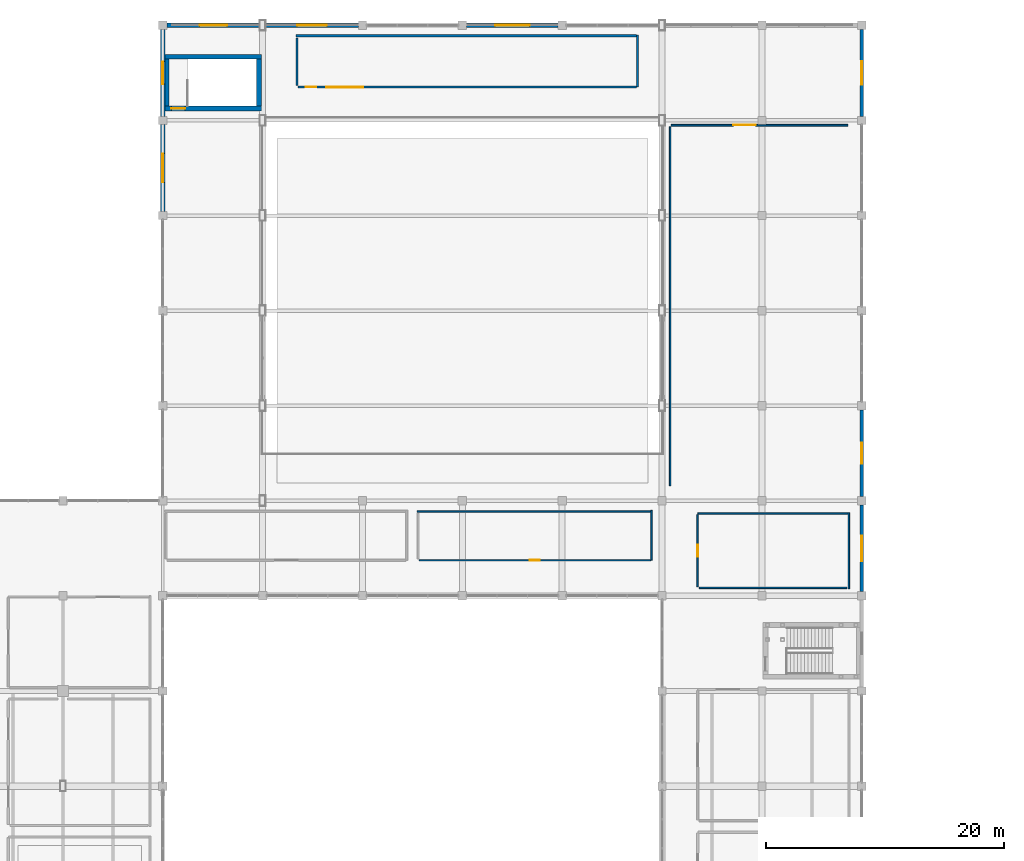
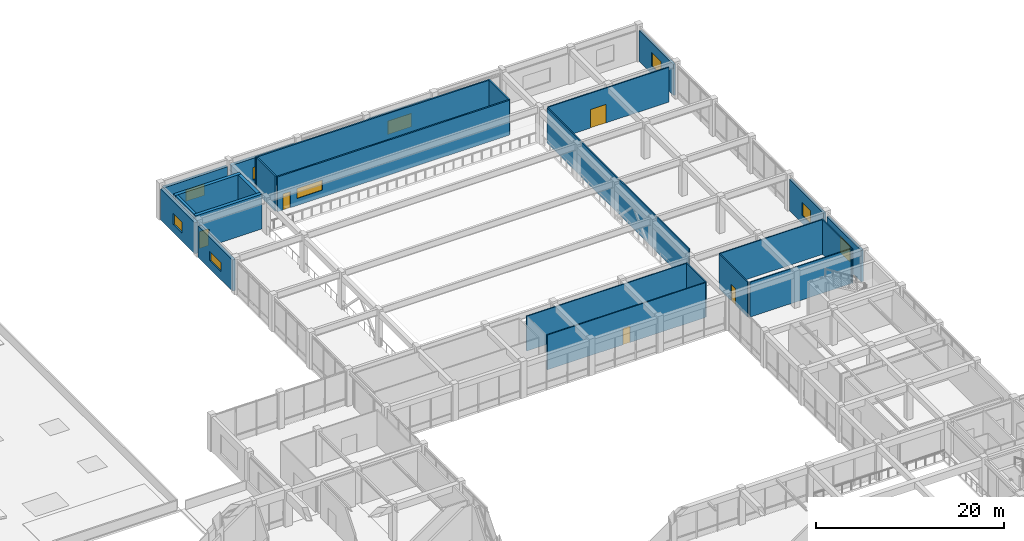
# One storey, part 56 of 76: 25 walls, 9 windows, 5 doors, 14 openings.
"""IFC4 building model written with IfcOpenShell, lengths in metres."""

import ifcopenshell
import ifcopenshell.guid

model = None  # the IFC model being written
_history = None  # IfcOwnerHistory: only IFC2X3 demands one
_inside = {}  # id of a spatial element -> (the spatial element, [elements in it])
_under = {}  # id of a project, library or spatial element -> (it, [spatial elements below it])
_declared = {}  # id of a project -> (the project, [libraries it declares])
_typed = {}  # id of a type object -> (the type object, [elements of that type])
_made_of = {}  # id of a material, layer set ... -> (it, [elements and type objects made of it])


def new_model(schema):
    """Start an empty IFC model of exactly this schema.

    Asked for "IFC4X3", IfcOpenShell would pick the latest addendum, in which some entities
    have other attributes; the version numbers below select the first issue.
    IFC2X3 requires an IfcOwnerHistory on every rooted entity: one is made here for all.
    """
    global model, _history
    if schema == "IFC4X3":
        model = ifcopenshell.file(schema_version=(4, 3, 0, 0))
    else:
        model = ifcopenshell.file(schema=schema)
    _inside.clear()
    _under.clear()
    _declared.clear()
    _typed.clear()
    _made_of.clear()
    _history = None
    if model.schema == "IFC2X3":
        org = make("IfcOrganization", Name="unknown")
        user = make(
            "IfcPersonAndOrganization",
            ThePerson=make("IfcPerson", FamilyName="unknown"),
            TheOrganization=org,
        )
        app = make(
            "IfcApplication",
            ApplicationDeveloper=org,
            Version="unknown",
            ApplicationFullName="unknown",
            ApplicationIdentifier="unknown",
        )
        _history = make(
            "IfcOwnerHistory",
            OwningUser=user,
            OwningApplication=app,
            ChangeAction="ADDED",
            CreationDate=0,
        )
    return model


def make(cls, **values):
    """One entity of the class cls with the attributes given. An attribute that is None is left unset."""
    return model.create_entity(
        cls, **{name: value for name, value in values.items() if value is not None}
    )


def rooted(cls, **values):
    """An entity with a GlobalId (a new one), such as an element, a storey or a relation."""
    return make(cls, GlobalId=ifcopenshell.guid.new(), OwnerHistory=_history, **values)


def si_unit(unit_type, name, prefix=None):
    """IfcSIUnit, for example si_unit("LENGTHUNIT", "METRE", prefix="MILLI")."""
    return make("IfcSIUnit", UnitType=unit_type, Prefix=prefix, Name=name)


def assignment(units):
    """IfcUnitAssignment: the units of a project."""
    return None if units is None else make("IfcUnitAssignment", Units=units)


def point(xyz):
    """IfcCartesianPoint."""
    return None if xyz is None else make("IfcCartesianPoint", Coordinates=xyz)


def direction(xyz):
    """IfcDirection."""
    return None if xyz is None else make("IfcDirection", DirectionRatios=xyz)


def frame(location, z_axis=None, x_axis=None):
    """IfcAxis2Placement3D, a coordinate frame: its origin and axes. An axis left out is left unset."""
    return make(
        "IfcAxis2Placement3D",
        Location=point(location),
        Axis=direction(z_axis),
        RefDirection=direction(x_axis),
    )


def frame_2d(location, x_axis=None):
    """IfcAxis2Placement2D, a coordinate frame in the plane: its origin and x axis."""
    return make(
        "IfcAxis2Placement2D", Location=point(location), RefDirection=direction(x_axis)
    )


def origin():
    """The frame at (0, 0, 0) with its axes left unset."""
    return frame((0.0, 0.0, 0.0))


def place(relative_to, where):
    """IfcLocalPlacement: puts the frame where relative to a parent placement (None: the world)."""
    return make(
        "IfcLocalPlacement", PlacementRelTo=relative_to, RelativePlacement=where
    )


def context(
    kind, dimensions, precision=None, world=None, true_north=None, identifier=None
):
    """IfcGeometricRepresentationContext, for example the 3D "Model" context."""
    return make(
        "IfcGeometricRepresentationContext",
        ContextIdentifier=identifier,
        ContextType=kind,
        CoordinateSpaceDimension=dimensions,
        Precision=precision,
        WorldCoordinateSystem=world,
        TrueNorth=true_north,
    )


def subcontext(parent, identifier, kind, view, scale=None):
    """IfcGeometricRepresentationSubContext, for example "Body" below "Model"."""
    return make(
        "IfcGeometricRepresentationSubContext",
        ContextIdentifier=identifier,
        ContextType=kind,
        ParentContext=parent,
        TargetScale=scale,
        TargetView=view,
    )


def project(units=None, contexts=None):
    """IfcProject with its units and contexts."""
    return rooted(
        "IfcProject",
        Name="project",
        RepresentationContexts=contexts,
        UnitsInContext=assignment(units),
    )


def spatial(cls, under=None, at=None, **own):
    """A site, building, storey or space (cls), placed at a placement, below another one or the project."""
    s = rooted(cls, ObjectPlacement=at, **own)
    if under is not None:
        _under.setdefault(under.id(), (under, []))[1].append(s)
    return s


def profile(cls, at=None, kind="AREA", **sizes):
    """A parametric profile (cls). Its sizes go by their IFC names, for example OverallWidth=200.0."""
    return make(cls, ProfileType=kind, Position=at, **sizes)


def rectangle(**sizes):
    """IfcRectangleProfileDef."""
    return profile("IfcRectangleProfileDef", **sizes)


def extrude(swept, where, along, depth):
    """IfcExtrudedAreaSolid: the profile swept, set in the frame where, extruded along a direction by depth."""
    return make(
        "IfcExtrudedAreaSolid",
        SweptArea=swept,
        Position=where,
        ExtrudedDirection=direction(along),
        Depth=depth,
    )


def shape(context_of_items, identifier, shape_type, items):
    """IfcShapeRepresentation: the items that make up one representation, for example the "Body"."""
    return make(
        "IfcShapeRepresentation",
        ContextOfItems=context_of_items,
        RepresentationIdentifier=identifier,
        RepresentationType=shape_type,
        Items=items,
    )


def material(Name=None, Category=None):
    """IfcMaterial."""
    return make("IfcMaterial", Name=Name, Category=Category)


def layer(
    of_material, thickness, ventilated=None, Name=None, Category=None, Priority=None
):
    """IfcMaterialLayer: one layer of a wall or slab, of a material (None: an air gap)."""
    return make(
        "IfcMaterialLayer",
        Material=of_material,
        LayerThickness=thickness,
        IsVentilated=ventilated,
        Name=Name,
        Category=Category,
        Priority=Priority,
    )


def layer_set(layers, Name=None):
    """IfcMaterialLayerSet."""
    return make("IfcMaterialLayerSet", MaterialLayers=layers, LayerSetName=Name)


def made_of(thing, what):
    """Note that an element or type object is made of a material, layer set ...; save() writes the relation."""
    if what is not None:
        _made_of.setdefault(what.id(), (what, []))[1].append(thing)
    return thing


def type_object(cls, material=None, **own):
    """A type object (cls), such as IfcWallType, which elements share."""
    return made_of(rooted(cls, **own), material)


def element(
    cls,
    number,
    at=None,
    inside=None,
    cuts=None,
    type_object=None,
    material=None,
    context=None,
    identifier="Body",
    shape_type=None,
    held_by="IfcProductDefinitionShape",
    body=None,
    shapes=None,
    **own,
):
    """One element of the class cls, such as IfcWall. Its Tag is "e" and its number.

    at: its placement. inside: the storey or other place that contains it. cuts: it is an
    opening in that element (IfcRelVoidsElement). A single representation is given by context,
    identifier, shape_type and body (its items); several are given by shapes. held_by: the class
    of the entity that holds the representations. save() writes the other relations.
    """
    e = rooted(cls, Tag="e%d" % number, ObjectPlacement=at, **own)
    if body is not None:
        shapes = [shape(context, identifier, shape_type, body)]
    if shapes is not None:
        e.Representation = make(held_by, Representations=shapes)
    if inside is not None:
        _inside.setdefault(inside.id(), (inside, []))[1].append(e)
    if cuts is not None:
        rooted(
            "IfcRelVoidsElement", RelatingBuildingElement=cuts, RelatedOpeningElement=e
        )
    if type_object is not None:
        _typed.setdefault(type_object.id(), (type_object, []))[1].append(e)
    return made_of(e, material)


def fill(opening, filler):
    """IfcRelFillsElement: the door or window that sits in an opening."""
    return rooted(
        "IfcRelFillsElement",
        RelatingOpeningElement=opening,
        RelatedBuildingElement=filler,
    )


def aggregate(whole, parts):
    """IfcRelAggregates: a whole, such as a stair, and the parts it consists of."""
    return rooted("IfcRelAggregates", RelatingObject=whole, RelatedObjects=parts)


def save(model, path):
    """Write the relations noted so far, then the file.

    IfcRelAggregates (storeys below a building ...), IfcRelContainedInSpatialStructure (elements
    in a storey), IfcRelDefinesByType, IfcRelAssociatesMaterial and IfcRelDeclares: one each for
    every whole, place, type object, material and project.
    """
    for whole, parts in _under.values():
        aggregate(whole, parts)
    for where, things in _inside.values():
        rooted(
            "IfcRelContainedInSpatialStructure",
            RelatedElements=things,
            RelatingStructure=where,
        )
    for kind, things in _typed.values():
        rooted("IfcRelDefinesByType", RelatedObjects=things, RelatingType=kind)
    for what, things in _made_of.values():
        rooted("IfcRelAssociatesMaterial", RelatedObjects=things, RelatingMaterial=what)
    for by, libraries in _declared.values():
        rooted("IfcRelDeclares", RelatingContext=by, RelatedDefinitions=libraries)
    model.write(path)


model = new_model("IFC4")

# Units and contexts
model_context = context("Model", 3, precision=1e-05, world=origin(), true_north=direction((0.0, 1.0)))
body_context = subcontext(model_context, "Body", "Model", "MODEL_VIEW")
ifc_project = project(units=[si_unit("LENGTHUNIT", "METRE"), si_unit("AREAUNIT", "SQUARE_METRE"), si_unit("VOLUMEUNIT", "CUBIC_METRE"), si_unit("PLANEANGLEUNIT", "RADIAN"), si_unit("MASSUNIT", "GRAM", prefix="KILO")], contexts=[model_context])

# Site, building, storey
site_placement = place(None, origin())
site = spatial("IfcSite", under=ifc_project, at=site_placement, CompositionType="ELEMENT")
building_placement = place(site_placement, origin())
building = spatial("IfcBuilding", under=site, at=building_placement, Name="Naruveol Harbour Congress Hotel", CompositionType="ELEMENT")
storey_placement = place(building_placement, frame((0.0, 0.0, 11.39990234375)))
storey = spatial("IfcBuildingStorey", under=building, at=storey_placement, Name="L02", CompositionType="ELEMENT", Elevation=11.39990234375)

# Wall, openings, window, door
ifc_material_1 = material(Name="Autoclaved Aerated Concrete Block", Category="concrete")
ifc_layer_1 = layer(ifc_material_1, 0.179931640625)
ifc_layer_set_1 = layer_set([ifc_layer_1], Name="Autoclaved Aerated Concrete Block")
wall_type_1 = type_object("IfcWallType", Name="ACOUSTIC HALL PARTITION WALL 180 EI60", PredefinedType="PARTITIONING", material=ifc_layer_set_1)
wall_1_placement = place(storey_placement, frame((78.56005859375, 106.800048828125, 0.0), z_axis=(0.0, 0.0, 1.0), x_axis=(1.0, 0.0, 0.0)))
wall_1 = element("IfcWall", 1, at=wall_1_placement, inside=storey, type_object=wall_type_1, Name="Ballroom Audio Visual Control Suite south entry wall PW-180", PredefinedType="PARTITIONING", context=body_context, shape_type="SweptSolid", body=[
    extrude(rectangle(XDim=28.47998046875, YDim=0.179931640625, at=frame_2d((14.239990234375, 0.0))), origin(), (0.0, 0.0, 1.0), 4.53515625),
])
opening_1_placement = place(wall_1_placement, frame((0.64990234375, 0.0, 0.0)))
opening_1 = element("IfcOpeningElement", 2, at=opening_1_placement, cuts=wall_1, Name="Opening ID-AV1", PredefinedType="OPENING", context=body_context, shape_type="SweptSolid", body=[
    extrude(rectangle(XDim=0.89990234375, YDim=2.10009765625, at=frame_2d((0.449951171875, 1.050048828125))), frame((0.0, 0.099853515625, 0.0), z_axis=(0.0, -1.0, 0.0), x_axis=(1.0, 0.0, 0.0)), (0.0, 0.0, 1.0), 0.199951171875),
])
opening_2_placement = place(wall_1_placement, frame((2.39990234375, 0.0, 0.89990234375)))
opening_2 = element("IfcOpeningElement", 3, at=opening_2_placement, cuts=wall_1, Name="Opening W-32", PredefinedType="OPENING", context=body_context, shape_type="SweptSolid", body=[
    extrude(rectangle(XDim=3.10009765625, YDim=1.300048828125, at=frame_2d((1.550048828125, 0.64990234375))), frame((0.0, 0.099853515625, 0.0), z_axis=(0.0, -1.0, 0.0), x_axis=(1.0, 0.0, 0.0)), (0.0, 0.0, 1.0), 0.199951171875),
])
ifc_material_2 = material(Name="Low-E Triple Glazing in Thermal Aluminium", Category="aluminium")
window_type_1 = type_object("IfcWindowType", Name="AV CONTROL BOOTH OBSERVATION GLASS 3100X1300", PartitioningType="DOUBLE_PANEL_VERTICAL", PredefinedType="WINDOW", material=ifc_material_2)
window_1_placement = place(opening_2_placement, origin())
window_1 = element("IfcWindow", 4, at=window_1_placement, inside=storey, type_object=window_type_1, Name="AV Control Observation Window", OverallHeight=1.300048828125, OverallWidth=3.10009765625, PartitioningType="DOUBLE_PANEL_VERTICAL", PredefinedType="WINDOW", context=body_context, shape_type="SweptSolid", body=[
    extrude(rectangle(XDim=3.10009765625, YDim=1.300048828125, at=frame_2d((1.550048828125, 0.64990234375))), frame((0.0, 0.030029296875, 0.0), z_axis=(0.0, -1.0, 0.0), x_axis=(1.0, 0.0, 0.0)), (0.0, 0.0, 1.0), 0.06005859375),
])
fill(opening_2, window_1)
ifc_material_3 = material(Name="Timber & Steel Acoustic Leaf", Category="steel")
door_type_1 = type_object("IfcDoorType", Name="INTERPRETING BOOTH ACOUSTIC DOOR 900X2100", OperationType="NOTDEFINED", PredefinedType="DOOR", material=ifc_material_3)
door_1_placement = place(opening_1_placement, origin())
door_1 = element("IfcDoor", 5, at=door_1_placement, inside=storey, type_object=door_type_1, Name="AV Control Acoustic Door", OperationType="SINGLE_SWING_LEFT", OverallHeight=2.10009765625, OverallWidth=0.89990234375, PredefinedType="DOOR", context=body_context, shape_type="SweptSolid", body=[
    extrude(rectangle(XDim=0.89990234375, YDim=2.10009765625, at=frame_2d((0.449951171875, 1.050048828125))), frame((0.0, 0.02490234375, 0.0), z_axis=(0.0, -1.0, 0.0), x_axis=(1.0, 0.0, 0.0)), (0.0, 0.0, 1.0), 0.050048828125),
])
fill(opening_1, door_1)

# Walls
wall_2_placement = place(storey_placement, frame((78.47998046875, 106.93994140625, 0.0), z_axis=(0.0, 0.0, 1.0), x_axis=(0.0, 1.0, 0.0)))
element("IfcWall", 6, at=wall_2_placement, inside=storey, type_object=wall_type_1, Name="Ballroom Audio Visual Control Suite west partition PW-180", PredefinedType="PARTITIONING", context=body_context, shape_type="SweptSolid", body=[
    extrude(rectangle(XDim=4.010009765625, YDim=0.179931640625, at=frame_2d((2.0048828125, 0.0))), origin(), (0.0, 0.0, 1.0), 4.53515625),
])
wall_3_placement = place(storey_placement, frame((107.1201171875, 106.83203125, 0.0), z_axis=(0.0, 0.0, 1.0), x_axis=(0.0, 1.0, 0.0)))
element("IfcWall", 7, at=wall_3_placement, inside=storey, type_object=wall_type_1, Name="Ballroom Audio Visual Control Suite east enclosure partition PW-180", PredefinedType="PARTITIONING", context=body_context, shape_type="SweptSolid", body=[
    extrude(rectangle(XDim=4.367919921875, YDim=0.179931640625, at=frame_2d((2.18408203125, 0.0))), origin(), (0.0, 0.0, 1.0), 4.53515625),
])
wall_4_placement = place(storey_placement, frame((78.39990234375, 111.1201171875, 0.0), z_axis=(0.0, 0.0, 1.0), x_axis=(1.0, 0.0, 0.0)))
element("IfcWall", 8, at=wall_4_placement, inside=storey, type_object=wall_type_1, Name="Ballroom Audio Visual Control Suite north enclosure partition PW-180", PredefinedType="PARTITIONING", context=body_context, shape_type="SweptSolid", body=[
    extrude(rectangle(XDim=28.630126953125, YDim=0.179931640625, at=frame_2d((14.31494140625, 0.0))), origin(), (0.0, 0.0, 1.0), 4.53515625),
])

# Wall, opening, door
ifc_material_4 = material(Name="Acoustic Double Stud Gypsum", Category="gypsum")
ifc_layer_2 = layer(ifc_material_4, 0.139892578125)
ifc_layer_set_2 = layer_set([ifc_layer_2], Name="Acoustic Double Stud Gypsum")
wall_type_2 = type_object("IfcWallType", Name="ACOUSTIC MEETING PARTITION WALL 140", PredefinedType="PARTITIONING", material=ifc_layer_set_2)
wall_5_placement = place(storey_placement, frame((109.9599609375, 103.60009765625, 0.0), z_axis=(0.0, 0.0, 1.0), x_axis=(1.0, 0.0, 0.0)))
wall_5 = element("IfcWall", 9, at=wall_5_placement, inside=storey, type_object=wall_type_2, Name="Banquet Mezzanine Lounge north entry wall PW-140", PredefinedType="PARTITIONING", context=body_context, shape_type="SweptSolid", body=[
    extrude(rectangle(XDim=14.880126953125, YDim=0.139892578125, at=frame_2d((7.43994140625, 0.0))), origin(), (0.0, 0.0, 1.0), 4.53515625),
])
opening_3_placement = place(wall_5_placement, frame((5.239990234375, 0.0, 0.0)))
opening_3 = element("IfcOpeningElement", 10, at=opening_3_placement, cuts=wall_5, Name="Opening ID-LG-64", PredefinedType="OPENING", context=body_context, shape_type="SweptSolid", body=[
    extrude(rectangle(XDim=1.89990234375, YDim=2.39990234375, at=frame_2d((0.949951171875, 1.199951171875))), frame((0.0, 0.079833984375, 0.0), z_axis=(0.0, -1.0, 0.0), x_axis=(1.0, 0.0, 0.0)), (0.0, 0.0, 1.0), 0.159912109375),
])
ifc_material_5 = material(Name="Timber & Steel Acoustic Leaf", Category="steel")
door_type_2 = type_object("IfcDoorType", Name="RESTAURANT AND LOUNGE GLAZED DOOR 1900X2400", OperationType="DOUBLE_DOOR_SINGLE_SWING", PredefinedType="DOOR", material=ifc_material_5)
door_2_placement = place(opening_3_placement, origin())
door_2 = element("IfcDoor", 11, at=door_2_placement, inside=storey, type_object=door_type_2, Name="Banquet Mezzanine Lounge Entrance Door", OperationType="DOUBLE_DOOR_SINGLE_SWING", OverallHeight=2.39990234375, OverallWidth=1.89990234375, PredefinedType="DOOR", context=body_context, shape_type="SweptSolid", body=[
    extrude(rectangle(XDim=1.89990234375, YDim=2.39990234375, at=frame_2d((0.949951171875, 1.199951171875))), frame((0.0, 0.02490234375, 0.0), z_axis=(0.0, -1.0, 0.0), x_axis=(1.0, 0.0, 0.0)), (0.0, 0.0, 1.0), 0.050048828125),
])
fill(opening_3, door_2)

# Wall
wall_6_placement = place(storey_placement, frame((109.8798828125, 73.25, 0.0), z_axis=(0.0, 0.0, 1.0), x_axis=(0.0, 1.0, 0.0)))
element("IfcWall", 12, at=wall_6_placement, inside=storey, type_object=wall_type_2, Name="Banquet Mezzanine Lounge west partition PW-140", PredefinedType="PARTITIONING", context=body_context, shape_type="SweptSolid", body=[
    extrude(rectangle(XDim=30.2099609375, YDim=0.139892578125, at=frame_2d((15.10498046875, 0.0))), origin(), (0.0, 0.0, 1.0), 4.53515625),
])

# Wall, opening, window
ifc_material_6 = material(Name="Precast concrete C40/50", Category="concrete")
ifc_layer_3 = layer(ifc_material_6, 0.280029296875)
ifc_layer_set_3 = layer_set([ifc_layer_3], Name="Precast concrete C40/50")
wall_type_3 = type_object("IfcWallType", Name="ARCHITECTURAL PRECAST FACADE WALL 280", PredefinedType="SOLIDWALL", material=ifc_layer_set_3)
wall_7_placement = place(storey_placement, frame((126.0, 79.64990234375, 0.0), z_axis=(0.0, 0.0, 1.0), x_axis=(0.0, -1.0, 0.0)))
wall_7 = element("IfcWall", 13, at=wall_7_placement, inside=storey, type_object=wall_type_3, Name="Ballroom east garden wall EW-280", PredefinedType="SOLIDWALL", context=body_context, shape_type="SweptSolid", body=[
    extrude(rectangle(XDim=7.2998046875, YDim=0.280029296875, at=frame_2d((3.64990234375, 0.0))), origin(), (0.0, 0.0, 1.0), 4.10009765625),
])
opening_4_placement = place(wall_7_placement, frame((2.75, 0.0, 1.050048828125)))
opening_4 = element("IfcOpeningElement", 14, at=opening_4_placement, cuts=wall_7, Name="Opening W-04", PredefinedType="OPENING", context=body_context, shape_type="SweptSolid", body=[
    extrude(rectangle(XDim=1.800048828125, YDim=1.699951171875, at=frame_2d((0.89990234375, 0.85009765625))), frame((0.0, 0.14990234375, 0.0), z_axis=(0.0, -1.0, 0.0), x_axis=(1.0, 0.0, 0.0)), (0.0, 0.0, 1.0), 0.300048828125),
])
ifc_material_7 = material(Name="Low-E Triple Glazing in Thermal Aluminium", Category="aluminium")
window_type_2 = type_object("IfcWindowType", Name="DELUXE PANORAMA WINDOW 1800X1700", PartitioningType="DOUBLE_PANEL_VERTICAL", PredefinedType="WINDOW", material=ifc_material_7)
window_2_placement = place(opening_4_placement, origin())
window_2 = element("IfcWindow", 15, at=window_2_placement, inside=storey, type_object=window_type_2, Name="Window W-04 #129", OverallHeight=1.699951171875, OverallWidth=1.800048828125, PartitioningType="DOUBLE_PANEL_VERTICAL", PredefinedType="WINDOW", context=body_context, shape_type="SweptSolid", body=[
    extrude(rectangle(XDim=1.800048828125, YDim=1.699951171875, at=frame_2d((0.89990234375, 0.85009765625))), frame((0.0, 0.030029296875, 0.0), z_axis=(0.0, -1.0, 0.0), x_axis=(1.0, 0.0, 0.0)), (0.0, 0.0, 1.0), 0.06005859375),
])
fill(opening_4, window_2)

wall_8_placement = place(storey_placement, frame((126.0, 111.64990234375, 0.0), z_axis=(0.0, 0.0, 1.0), x_axis=(0.0, -1.0, 0.0)))
wall_8 = element("IfcWall", 16, at=wall_8_placement, inside=storey, type_object=wall_type_3, Name="Ballroom east garden wall EW-280", PredefinedType="SOLIDWALL", context=body_context, shape_type="SweptSolid", body=[
    extrude(rectangle(XDim=7.2998046875, YDim=0.280029296875, at=frame_2d((3.64990234375, 0.0))), origin(), (0.0, 0.0, 1.0), 4.050048828125),
])
opening_5_placement = place(wall_8_placement, frame((2.64990234375, 0.0, 1.050048828125)))
opening_5 = element("IfcOpeningElement", 17, at=opening_5_placement, cuts=wall_8, Name="Opening W-05", PredefinedType="OPENING", context=body_context, shape_type="SweptSolid", body=[
    extrude(rectangle(XDim=2.0, YDim=1.75, at=frame_2d((1.0, 0.875))), frame((0.0, 0.14990234375, 0.0), z_axis=(0.0, -1.0, 0.0), x_axis=(1.0, 0.0, 0.0)), (0.0, 0.0, 1.0), 0.300048828125),
])
ifc_material_8 = material(Name="Low-E Triple Glazing in Thermal Aluminium", Category="aluminium")
window_type_3 = type_object("IfcWindowType", Name="GARDEN SUITE WINDOW 2000X1750", PartitioningType="DOUBLE_PANEL_VERTICAL", PredefinedType="WINDOW", material=ifc_material_8)
window_3_placement = place(opening_5_placement, origin())
window_3 = element("IfcWindow", 18, at=window_3_placement, inside=storey, type_object=window_type_3, Name="Window W-05 #130", OverallHeight=1.75, OverallWidth=2.0, PartitioningType="DOUBLE_PANEL_VERTICAL", PredefinedType="WINDOW", context=body_context, shape_type="SweptSolid", body=[
    extrude(rectangle(XDim=2.0, YDim=1.75, at=frame_2d((1.0, 0.875))), frame((0.0, 0.030029296875, 0.0), z_axis=(0.0, -1.0, 0.0), x_axis=(1.0, 0.0, 0.0)), (0.0, 0.0, 1.0), 0.06005859375),
])
fill(opening_5, window_3)

wall_9_placement = place(storey_placement, frame((126.0, 71.64990234375, 0.0), z_axis=(0.0, 0.0, 1.0), x_axis=(0.0, -1.0, 0.0)))
wall_9 = element("IfcWall", 19, at=wall_9_placement, inside=storey, type_object=wall_type_3, Name="Courtyard wing east garden wall EW-280", PredefinedType="SOLIDWALL", context=body_context, shape_type="SweptSolid", body=[
    extrude(rectangle(XDim=7.2998046875, YDim=0.280029296875, at=frame_2d((3.64990234375, 0.0))), origin(), (0.0, 0.0, 1.0), 4.10009765625),
])
opening_6_placement = place(wall_9_placement, frame((2.574951171875, 0.0, 1.0)))
opening_6 = element("IfcOpeningElement", 20, at=opening_6_placement, cuts=wall_9, Name="Opening W-29", PredefinedType="OPENING", context=body_context, shape_type="SweptSolid", body=[
    extrude(rectangle(XDim=2.14990234375, YDim=2.10009765625, at=frame_2d((1.074951171875, 1.050048828125))), frame((0.0, 0.14990234375, 0.0), z_axis=(0.0, -1.0, 0.0), x_axis=(1.0, 0.0, 0.0)), (0.0, 0.0, 1.0), 0.300048828125),
])
ifc_material_9 = material(Name="Low-E Triple Glazing in Thermal Aluminium", Category="aluminium")
window_type_4 = type_object("IfcWindowType", Name="DINING TERRACE WINDOW 2150X2100", PartitioningType="DOUBLE_PANEL_VERTICAL", PredefinedType="WINDOW", material=ifc_material_9)
window_4_placement = place(opening_6_placement, origin())
window_4 = element("IfcWindow", 21, at=window_4_placement, inside=storey, type_object=window_type_4, Name="Window W-29 #149", OverallHeight=2.10009765625, OverallWidth=2.14990234375, PartitioningType="DOUBLE_PANEL_VERTICAL", PredefinedType="WINDOW", context=body_context, shape_type="SweptSolid", body=[
    extrude(rectangle(XDim=2.14990234375, YDim=2.10009765625, at=frame_2d((1.074951171875, 1.050048828125))), frame((0.0, 0.030029296875, 0.0), z_axis=(0.0, -1.0, 0.0), x_axis=(1.0, 0.0, 0.0)), (0.0, 0.0, 1.0), 0.06005859375),
])
fill(opening_6, window_4)

ifc_material_10 = material(Name="Concrete C40/50", Category="concrete")
ifc_layer_4 = layer(ifc_material_10, 0.3798828125)
ifc_layer_set_4 = layer_set([ifc_layer_4], Name="Concrete C40/50")
wall_type_4 = type_object("IfcWallType", Name="INSULATED GRANITE FACADE WALL 380", PredefinedType="SOLIDWALL", material=ifc_layer_set_4)
wall_10_placement = place(storey_placement, frame((67.199951171875, 96.35009765625, 0.0), z_axis=(0.0, 0.0, 1.0), x_axis=(0.0, 1.0, 0.0)))
wall_10 = element("IfcWall", 22, at=wall_10_placement, inside=storey, type_object=wall_type_4, Name="Ballroom west forecourt wall EW-380", PredefinedType="SOLIDWALL", context=body_context, shape_type="SweptSolid", body=[
    extrude(rectangle(XDim=7.2998046875, YDim=0.3798828125, at=frame_2d((3.64990234375, 0.0))), origin(), (0.0, 0.0, 1.0), 4.050048828125),
])
opening_7_placement = place(wall_10_placement, frame((2.449951171875, 0.0, 1.050048828125)))
opening_7 = element("IfcOpeningElement", 23, at=opening_7_placement, cuts=wall_10, Name="Opening W-19", PredefinedType="OPENING", context=body_context, shape_type="SweptSolid", body=[
    extrude(rectangle(XDim=2.39990234375, YDim=1.199951171875, at=frame_2d((1.199951171875, 0.60009765625))), frame((0.0, 0.199951171875, 0.0), z_axis=(0.0, -1.0, 0.0), x_axis=(1.0, 0.0, 0.0)), (0.0, 0.0, 1.0), 0.39990234375),
])
ifc_material_11 = material(Name="Low-E Triple Glazing in Thermal Aluminium", Category="aluminium")
window_type_5 = type_object("IfcWindowType", Name="AUDITORIUM ACOUSTIC CLERESTORY 2400X1200", PartitioningType="DOUBLE_PANEL_VERTICAL", PredefinedType="WINDOW", material=ifc_material_11)
window_5_placement = place(opening_7_placement, origin())
window_5 = element("IfcWindow", 24, at=window_5_placement, inside=storey, type_object=window_type_5, Name="Window W-19 #122", OverallHeight=1.199951171875, OverallWidth=2.39990234375, PartitioningType="DOUBLE_PANEL_VERTICAL", PredefinedType="WINDOW", context=body_context, shape_type="SweptSolid", body=[
    extrude(rectangle(XDim=2.39990234375, YDim=1.199951171875, at=frame_2d((1.199951171875, 0.60009765625))), frame((0.0, 0.030029296875, 0.0), z_axis=(0.0, -1.0, 0.0), x_axis=(1.0, 0.0, 0.0)), (0.0, 0.0, 1.0), 0.06005859375),
])
fill(opening_7, window_5)

wall_11_placement = place(storey_placement, frame((67.199951171875, 104.35009765625, 0.0), z_axis=(0.0, 0.0, 1.0), x_axis=(0.0, 1.0, 0.0)))
wall_11 = element("IfcWall", 25, at=wall_11_placement, inside=storey, type_object=wall_type_4, Name="Ballroom west forecourt wall EW-380", PredefinedType="SOLIDWALL", context=body_context, shape_type="SweptSolid", body=[
    extrude(rectangle(XDim=7.2998046875, YDim=0.3798828125, at=frame_2d((3.64990234375, 0.0))), origin(), (0.0, 0.0, 1.0), 4.050048828125),
])
opening_8_placement = place(wall_11_placement, frame((2.699951171875, 0.0, 1.050048828125)))
opening_8 = element("IfcOpeningElement", 26, at=opening_8_placement, cuts=wall_11, Name="Opening W-20", PredefinedType="OPENING", context=body_context, shape_type="SweptSolid", body=[
    extrude(rectangle(XDim=1.89990234375, YDim=1.39990234375, at=frame_2d((0.949951171875, 0.699951171875))), frame((0.0, 0.199951171875, 0.0), z_axis=(0.0, -1.0, 0.0), x_axis=(1.0, 0.0, 0.0)), (0.0, 0.0, 1.0), 0.39990234375),
])
ifc_material_12 = material(Name="Low-E Triple Glazing in Thermal Aluminium", Category="aluminium")
window_type_6 = type_object("IfcWindowType", Name="PRESS BRIEFING WINDOW 1900X1400", PartitioningType="DOUBLE_PANEL_VERTICAL", PredefinedType="WINDOW", material=ifc_material_12)
window_6_placement = place(opening_8_placement, origin())
window_6 = element("IfcWindow", 27, at=window_6_placement, inside=storey, type_object=window_type_6, Name="Window W-20 #123", OverallHeight=1.39990234375, OverallWidth=1.89990234375, PartitioningType="DOUBLE_PANEL_VERTICAL", PredefinedType="WINDOW", context=body_context, shape_type="SweptSolid", body=[
    extrude(rectangle(XDim=1.89990234375, YDim=1.39990234375, at=frame_2d((0.949951171875, 0.699951171875))), frame((0.0, 0.030029296875, 0.0), z_axis=(0.0, -1.0, 0.0), x_axis=(1.0, 0.0, 0.0)), (0.0, 0.0, 1.0), 0.06005859375),
])
fill(opening_8, window_6)

wall_12_placement = place(storey_placement, frame((67.550048828125, 112.0, 0.0), z_axis=(0.0, 0.0, 1.0), x_axis=(1.0, 0.0, 0.0)))
wall_12 = element("IfcWall", 28, at=wall_12_placement, inside=storey, type_object=wall_type_4, Name="Ballroom north facade EW-380", PredefinedType="SOLIDWALL", context=body_context, shape_type="SweptSolid", body=[
    extrude(rectangle(XDim=7.800048828125, YDim=0.3798828125, at=frame_2d((3.89990234375, 0.0))), origin(), (0.0, 0.0, 1.0), 3.900146484375),
])
opening_9_placement = place(wall_12_placement, frame((2.75, 0.0, 1.050048828125)))
opening_9 = element("IfcOpeningElement", 29, at=opening_9_placement, cuts=wall_12, Name="Opening W-21", PredefinedType="OPENING", context=body_context, shape_type="SweptSolid", body=[
    extrude(rectangle(XDim=2.300048828125, YDim=1.5, at=frame_2d((1.14990234375, 0.75))), frame((0.0, 0.199951171875, 0.0), z_axis=(0.0, -1.0, 0.0), x_axis=(1.0, 0.0, 0.0)), (0.0, 0.0, 1.0), 0.39990234375),
])
ifc_material_13 = material(Name="Low-E Triple Glazing in Thermal Aluminium", Category="aluminium")
window_type_7 = type_object("IfcWindowType", Name="COURTYARD GALLERY WINDOW 2300X1500", PartitioningType="DOUBLE_PANEL_VERTICAL", PredefinedType="WINDOW", material=ifc_material_13)
window_7_placement = place(opening_9_placement, origin())
window_7 = element("IfcWindow", 30, at=window_7_placement, inside=storey, type_object=window_type_7, Name="Window W-21 #124", OverallHeight=1.5, OverallWidth=2.300048828125, PartitioningType="DOUBLE_PANEL_VERTICAL", PredefinedType="WINDOW", context=body_context, shape_type="SweptSolid", body=[
    extrude(rectangle(XDim=2.300048828125, YDim=1.5, at=frame_2d((1.14990234375, 0.75))), frame((0.0, 0.030029296875, 0.0), z_axis=(0.0, -1.0, 0.0), x_axis=(1.0, 0.0, 0.0)), (0.0, 0.0, 1.0), 0.06005859375),
])
fill(opening_9, window_7)

wall_13_placement = place(storey_placement, frame((75.85009765625, 112.0, 0.0), z_axis=(0.0, 0.0, 1.0), x_axis=(1.0, 0.0, 0.0)))
wall_13 = element("IfcWall", 31, at=wall_13_placement, inside=storey, type_object=wall_type_4, Name="Ballroom north facade EW-380", PredefinedType="SOLIDWALL", context=body_context, shape_type="SweptSolid", body=[
    extrude(rectangle(XDim=7.7998046875, YDim=0.3798828125, at=frame_2d((3.89990234375, 0.0))), origin(), (0.0, 0.0, 1.0), 3.900146484375),
])
opening_10_placement = place(wall_13_placement, frame((2.64990234375, 0.0, 1.050048828125)))
opening_10 = element("IfcOpeningElement", 32, at=opening_10_placement, cuts=wall_13, Name="Opening W-22", PredefinedType="OPENING", context=body_context, shape_type="SweptSolid", body=[
    extrude(rectangle(XDim=2.5, YDim=1.64990234375, at=frame_2d((1.25, 0.824951171875))), frame((0.0, 0.199951171875, 0.0), z_axis=(0.0, -1.0, 0.0), x_axis=(1.0, 0.0, 0.0)), (0.0, 0.0, 1.0), 0.39990234375),
])
ifc_material_14 = material(Name="Low-E Triple Glazing in Thermal Aluminium", Category="aluminium")
window_type_8 = type_object("IfcWindowType", Name="BREAKOUT SALON WINDOW 2500X1650", PartitioningType="DOUBLE_PANEL_VERTICAL", PredefinedType="WINDOW", material=ifc_material_14)
window_8_placement = place(opening_10_placement, origin())
window_8 = element("IfcWindow", 33, at=window_8_placement, inside=storey, type_object=window_type_8, Name="Window W-22 #125", OverallHeight=1.64990234375, OverallWidth=2.5, PartitioningType="DOUBLE_PANEL_VERTICAL", PredefinedType="WINDOW", context=body_context, shape_type="SweptSolid", body=[
    extrude(rectangle(XDim=2.5, YDim=1.64990234375, at=frame_2d((1.25, 0.824951171875))), frame((0.0, 0.030029296875, 0.0), z_axis=(0.0, -1.0, 0.0), x_axis=(1.0, 0.0, 0.0)), (0.0, 0.0, 1.0), 0.06005859375),
])
fill(opening_10, window_8)

wall_14_placement = place(storey_placement, frame((92.75, 112.0, 0.0), z_axis=(0.0, 0.0, 1.0), x_axis=(1.0, 0.0, 0.0)))
wall_14 = element("IfcWall", 34, at=wall_14_placement, inside=storey, type_object=wall_type_4, Name="Ballroom north facade EW-380", PredefinedType="SOLIDWALL", context=body_context, shape_type="SweptSolid", body=[
    extrude(rectangle(XDim=7.699951171875, YDim=0.3798828125, at=frame_2d((3.85009765625, 0.0))), origin(), (0.0, 0.0, 1.0), 3.900146484375),
])
opening_11_placement = place(wall_14_placement, frame((2.39990234375, 0.0, 1.050048828125)))
opening_11 = element("IfcOpeningElement", 35, at=opening_11_placement, cuts=wall_14, Name="Opening W-23", PredefinedType="OPENING", context=body_context, shape_type="SweptSolid", body=[
    extrude(rectangle(XDim=2.89990234375, YDim=1.75, at=frame_2d((1.449951171875, 0.875))), frame((0.0, 0.199951171875, 0.0), z_axis=(0.0, -1.0, 0.0), x_axis=(1.0, 0.0, 0.0)), (0.0, 0.0, 1.0), 0.39990234375),
])
ifc_material_15 = material(Name="Low-E Triple Glazing in Thermal Aluminium", Category="aluminium")
window_type_9 = type_object("IfcWindowType", Name="BOARDROOM HARBOUR WINDOW 2900X1750", PartitioningType="DOUBLE_PANEL_VERTICAL", PredefinedType="WINDOW", material=ifc_material_15)
window_9_placement = place(opening_11_placement, origin())
window_9 = element("IfcWindow", 36, at=window_9_placement, inside=storey, type_object=window_type_9, Name="Window W-23 #126", OverallHeight=1.75, OverallWidth=2.89990234375, PartitioningType="DOUBLE_PANEL_VERTICAL", PredefinedType="WINDOW", context=body_context, shape_type="SweptSolid", body=[
    extrude(rectangle(XDim=2.89990234375, YDim=1.75, at=frame_2d((1.449951171875, 0.875))), frame((0.0, 0.030029296875, 0.0), z_axis=(0.0, -1.0, 0.0), x_axis=(1.0, 0.0, 0.0)), (0.0, 0.0, 1.0), 0.06005859375),
])
fill(opening_11, window_9)

# Wall, opening, door
ifc_material_16 = material(Name="Concrete C50/60", Category="concrete")
ifc_layer_5 = layer(ifc_material_16, 0.39990234375)
ifc_layer_set_5 = layer_set([ifc_layer_5], Name="Concrete C50/60")
wall_type_5 = type_object("IfcWallType", Name="RC CORE SHEAR WALL 400 EI120", PredefinedType="SHEAR", material=ifc_layer_set_5)
wall_15_placement = place(storey_placement, frame((67.39990234375, 105.0, 0.0), z_axis=(0.0, 0.0, 1.0), x_axis=(1.0, 0.0, 0.0)))
wall_15 = element("IfcWall", 37, at=wall_15_placement, inside=storey, type_object=wall_type_5, Name="Stair ST8 south core wall CW-400", PredefinedType="SHEAR", context=body_context, shape_type="SweptSolid", body=[
    extrude(rectangle(XDim=8.10009765625, YDim=0.39990234375, at=frame_2d((4.050048828125, 0.0))), origin(), (0.0, 0.0, 1.0), 4.53515625),
])
opening_12_placement = place(wall_15_placement, frame((0.52001953125, 0.0, 0.0)))
opening_12 = element("IfcOpeningElement", 38, at=opening_12_placement, cuts=wall_15, Name="Opening FD-ST8-L02", PredefinedType="OPENING", context=body_context, shape_type="SweptSolid", body=[
    extrude(rectangle(XDim=1.159912109375, YDim=2.199951171875, at=frame_2d((0.580078125, 1.10009765625))), frame((0.0, 0.2099609375, 0.0), z_axis=(0.0, -1.0, 0.0), x_axis=(1.0, 0.0, 0.0)), (0.0, 0.0, 1.0), 0.419921875),
])
ifc_material_17 = material(Name="Timber & Steel Acoustic Leaf", Category="steel")
door_type_3 = type_object("IfcDoorType", Name="SPECIAL ESCAPE STAIR FIRE DOOR 1160X2200", OperationType="NOTDEFINED", PredefinedType="DOOR", material=ifc_material_17)
door_3_placement = place(opening_12_placement, origin())
door_3 = element("IfcDoor", 39, at=door_3_placement, inside=storey, type_object=door_type_3, Name="Enclosed Exit Stair Door ST8 L02", OperationType="SINGLE_SWING_RIGHT", OverallHeight=2.199951171875, OverallWidth=1.159912109375, PredefinedType="DOOR", context=body_context, shape_type="SweptSolid", body=[
    extrude(rectangle(XDim=1.159912109375, YDim=2.199951171875, at=frame_2d((0.580078125, 1.10009765625))), frame((0.0, 0.02490234375, 0.0), z_axis=(0.0, -1.0, 0.0), x_axis=(1.0, 0.0, 0.0)), (0.0, 0.0, 1.0), 0.050048828125),
])
fill(opening_12, door_3)

# Walls
wall_16_placement = place(storey_placement, frame((75.300048828125, 105.205078125, 0.0), z_axis=(0.0, 0.0, 1.0), x_axis=(0.0, 1.0, 0.0)))
element("IfcWall", 40, at=wall_16_placement, inside=storey, type_object=wall_type_5, Name="Stair ST8 east core wall CW-400", PredefinedType="SHEAR", context=body_context, shape_type="SweptSolid", body=[
    extrude(rectangle(XDim=3.949951171875, YDim=0.39990234375, at=frame_2d((1.97509765625, 0.0))), origin(), (0.0, 0.0, 1.0), 4.53515625),
])
wall_17_placement = place(storey_placement, frame((67.39990234375, 109.360107421875, 0.0), z_axis=(0.0, 0.0, 1.0), x_axis=(1.0, 0.0, 0.0)))
element("IfcWall", 41, at=wall_17_placement, inside=storey, type_object=wall_type_5, Name="Stair ST8 north core wall CW-400", PredefinedType="SHEAR", context=body_context, shape_type="SweptSolid", body=[
    extrude(rectangle(XDim=8.10009765625, YDim=0.39990234375, at=frame_2d((4.050048828125, 0.0))), origin(), (0.0, 0.0, 1.0), 4.53515625),
])
ifc_material_18 = material(Name="Concrete C50/60", Category="concrete")
ifc_layer_6 = layer(ifc_material_18, 0.300048828125)
ifc_layer_set_6 = layer_set([ifc_layer_6], Name="Concrete C50/60")
wall_type_6 = type_object("IfcWallType", Name="RC STAIR AND HOISTWAY SHEAR WALL 300 EI120", PredefinedType="SHEAR", material=ifc_layer_set_6)
wall_18_placement = place(storey_placement, frame((67.550048828125, 105.205078125, 0.0), z_axis=(0.0, 0.0, 1.0), x_axis=(0.0, 1.0, 0.0)))
element("IfcWall", 42, at=wall_18_placement, inside=storey, type_object=wall_type_6, Name="Stair ST8 west core wall SW-300", PredefinedType="SHEAR", context=body_context, shape_type="SweptSolid", body=[
    extrude(rectangle(XDim=3.949951171875, YDim=0.300048828125, at=frame_2d((1.97509765625, 0.0))), origin(), (0.0, 0.0, 1.0), 4.53515625),
])

# Wall, opening, door
ifc_material_19 = material(Name="Acoustic Double Stud Gypsum", Category="gypsum")
ifc_layer_7 = layer(ifc_material_19, 0.125)
ifc_layer_set_7 = layer_set([ifc_layer_7], Name="Acoustic Double Stud Gypsum")
wall_type_7 = type_object("IfcWallType", Name="SERVICE CHASE PARTITION WALL 125", PredefinedType="PARTITIONING", material=ifc_layer_set_7)
wall_19_placement = place(storey_placement, frame((88.760009765625, 67.0, 0.0), z_axis=(0.0, 0.0, 1.0), x_axis=(1.0, 0.0, 0.0)))
wall_19 = element("IfcWall", 43, at=wall_19_placement, inside=storey, type_object=wall_type_7, Name="Public Restrooms south entry wall PW-125", PredefinedType="PARTITIONING", context=body_context, shape_type="SweptSolid", body=[
    extrude(rectangle(XDim=19.47998046875, YDim=0.125, at=frame_2d((9.739990234375, 0.0))), origin(), (0.0, 0.0, 1.0), 4.53515625),
])
opening_13_placement = place(wall_19_placement, frame((9.31005859375, 0.0, 0.0)))
opening_13 = element("IfcOpeningElement", 44, at=opening_13_placement, cuts=wall_19, Name="Opening BD-WC-L02-72", PredefinedType="OPENING", context=body_context, shape_type="SweptSolid", body=[
    extrude(rectangle(XDim=0.860107421875, YDim=2.1201171875, at=frame_2d((0.43017578125, 1.06005859375))), frame((0.0, 0.072509765625, 0.0), z_axis=(0.0, -1.0, 0.0), x_axis=(1.0, 0.0, 0.0)), (0.0, 0.0, 1.0), 0.14501953125),
])
ifc_material_20 = material(Name="Timber & Steel Acoustic Leaf", Category="steel")
door_type_4 = type_object("IfcDoorType", Name="GUEST BATHROOM DOOR 860X2120", OperationType="NOTDEFINED", PredefinedType="DOOR", material=ifc_material_20)
door_4_placement = place(opening_13_placement, origin())
door_4 = element("IfcDoor", 45, at=door_4_placement, inside=storey, type_object=door_type_4, Name="Restroom Door L02", OperationType="SINGLE_SWING_RIGHT", OverallHeight=2.1201171875, OverallWidth=0.860107421875, PredefinedType="DOOR", context=body_context, shape_type="SweptSolid", body=[
    extrude(rectangle(XDim=0.860107421875, YDim=2.1201171875, at=frame_2d((0.43017578125, 1.06005859375))), frame((0.0, 0.02490234375, 0.0), z_axis=(0.0, -1.0, 0.0), x_axis=(1.0, 0.0, 0.0)), (0.0, 0.0, 1.0), 0.050048828125),
])
fill(opening_13, door_4)

wall_20_placement = place(storey_placement, frame((112.199951171875, 64.760009765625, 0.0), z_axis=(0.0, 0.0, 1.0), x_axis=(0.0, 1.0, 0.0)))
wall_20 = element("IfcWall", 46, at=wall_20_placement, inside=storey, type_object=wall_type_7, Name="Accessible Restroom west entry wall PW-125", PredefinedType="PARTITIONING", context=body_context, shape_type="SweptSolid", body=[
    extrude(rectangle(XDim=6.080078125, YDim=0.125, at=frame_2d((3.0400390625, 0.0))), origin(), (0.0, 0.0, 1.0), 4.53515625),
])
opening_14_placement = place(wall_20_placement, frame((2.550048828125, 0.0, 0.0)))
opening_14 = element("IfcOpeningElement", 47, at=opening_14_placement, cuts=wall_20, Name="Opening BD-ACC-L02-75", PredefinedType="OPENING", context=body_context, shape_type="SweptSolid", body=[
    extrude(rectangle(XDim=0.97998046875, YDim=2.14990234375, at=frame_2d((0.489990234375, 1.074951171875))), frame((0.0, 0.072509765625, 0.0), z_axis=(0.0, -1.0, 0.0), x_axis=(1.0, 0.0, 0.0)), (0.0, 0.0, 1.0), 0.14501953125),
])
ifc_material_21 = material(Name="Timber & Steel Acoustic Leaf", Category="steel")
door_type_5 = type_object("IfcDoorType", Name="ACCESSIBLE RESTROOM DOOR 980X2150", OperationType="NOTDEFINED", PredefinedType="DOOR", material=ifc_material_21)
door_5_placement = place(opening_14_placement, origin())
door_5 = element("IfcDoor", 48, at=door_5_placement, inside=storey, type_object=door_type_5, Name="Accessible Restroom Door L02", OperationType="SINGLE_SWING_LEFT", OverallHeight=2.14990234375, OverallWidth=0.97998046875, PredefinedType="DOOR", context=body_context, shape_type="SweptSolid", body=[
    extrude(rectangle(XDim=0.97998046875, YDim=2.14990234375, at=frame_2d((0.489990234375, 1.074951171875))), frame((0.0, 0.02490234375, 0.0), z_axis=(0.0, -1.0, 0.0), x_axis=(1.0, 0.0, 0.0)), (0.0, 0.0, 1.0), 0.050048828125),
])
fill(opening_14, door_5)

# Walls
wall_21_placement = place(storey_placement, frame((112.340087890625, 64.679931640625, 0.0), z_axis=(0.0, 0.0, 1.0), x_axis=(1.0, 0.0, 0.0)))
element("IfcWall", 49, at=wall_21_placement, inside=storey, type_object=wall_type_7, Name="Accessible Restroom south partition PW-125", PredefinedType="PARTITIONING", context=body_context, shape_type="SweptSolid", body=[
    extrude(rectangle(XDim=12.409912109375, YDim=0.125, at=frame_2d((6.205078125, 0.0))), origin(), (0.0, 0.0, 1.0), 4.53515625),
])
wall_22_placement = place(storey_placement, frame((108.320068359375, 67.00390625, 0.0), z_axis=(0.0, 0.0, 1.0), x_axis=(0.0, 1.0, 0.0)))
element("IfcWall", 50, at=wall_22_placement, inside=storey, type_object=wall_type_7, Name="Public Restrooms east enclosure partition PW-125", PredefinedType="PARTITIONING", context=body_context, shape_type="SweptSolid", body=[
    extrude(rectangle(XDim=4.196044921875, YDim=0.125, at=frame_2d((2.09814453125, 0.0))), origin(), (0.0, 0.0, 1.0), 4.53515625),
])
wall_23_placement = place(storey_placement, frame((88.60009765625, 71.1201171875, 0.0), z_axis=(0.0, 0.0, 1.0), x_axis=(1.0, 0.0, 0.0)))
element("IfcWall", 51, at=wall_23_placement, inside=storey, type_object=wall_type_7, Name="Public Restrooms north enclosure partition PW-125", PredefinedType="PARTITIONING", context=body_context, shape_type="SweptSolid", body=[
    extrude(rectangle(XDim=19.657958984375, YDim=0.125, at=frame_2d((9.8291015625, 0.0))), origin(), (0.0, 0.0, 1.0), 4.53515625),
])
wall_24_placement = place(storey_placement, frame((124.919921875, 64.60009765625, 0.0), z_axis=(0.0, 0.0, 1.0), x_axis=(0.0, 1.0, 0.0)))
element("IfcWall", 52, at=wall_24_placement, inside=storey, type_object=wall_type_7, Name="Accessible Restroom east enclosure partition PW-125", PredefinedType="PARTITIONING", context=body_context, shape_type="SweptSolid", body=[
    extrude(rectangle(XDim=6.39990234375, YDim=0.125, at=frame_2d((3.199951171875, 0.0))), origin(), (0.0, 0.0, 1.0), 4.53515625),
])
wall_25_placement = place(storey_placement, frame((112.2041015625, 70.919921875, 0.0), z_axis=(0.0, 0.0, 1.0), x_axis=(1.0, 0.0, 0.0)))
element("IfcWall", 53, at=wall_25_placement, inside=storey, type_object=wall_type_7, Name="Accessible Restroom north enclosure partition PW-125", PredefinedType="PARTITIONING", context=body_context, shape_type="SweptSolid", body=[
    extrude(rectangle(XDim=12.65380859375, YDim=0.125, at=frame_2d((6.326904296875, 0.0))), origin(), (0.0, 0.0, 1.0), 4.53515625),
])

save(model, "model.ifc")
